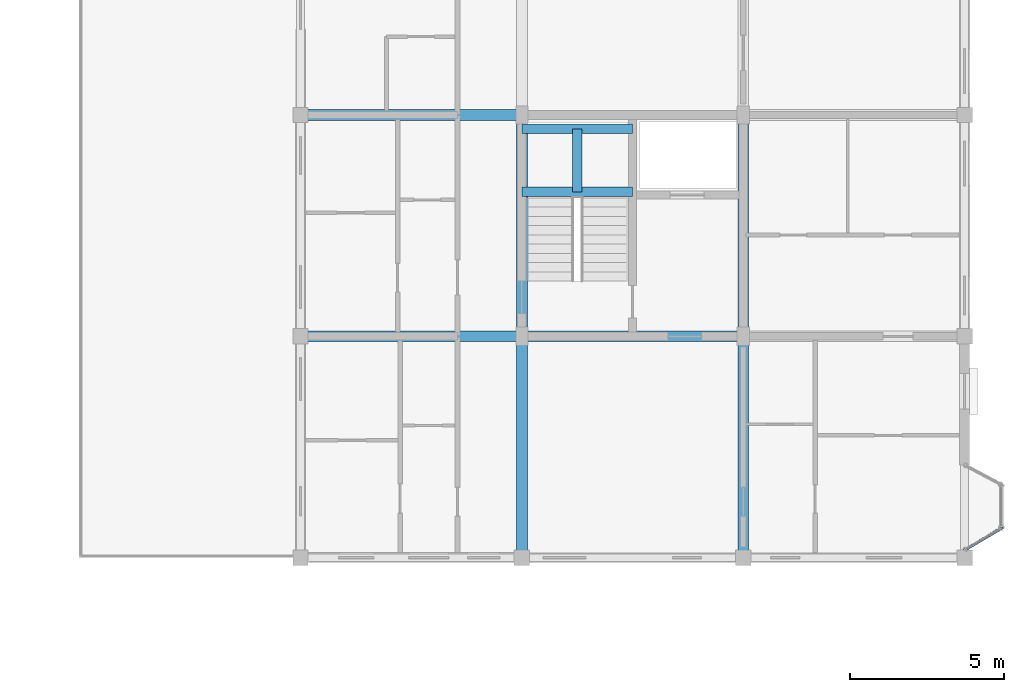
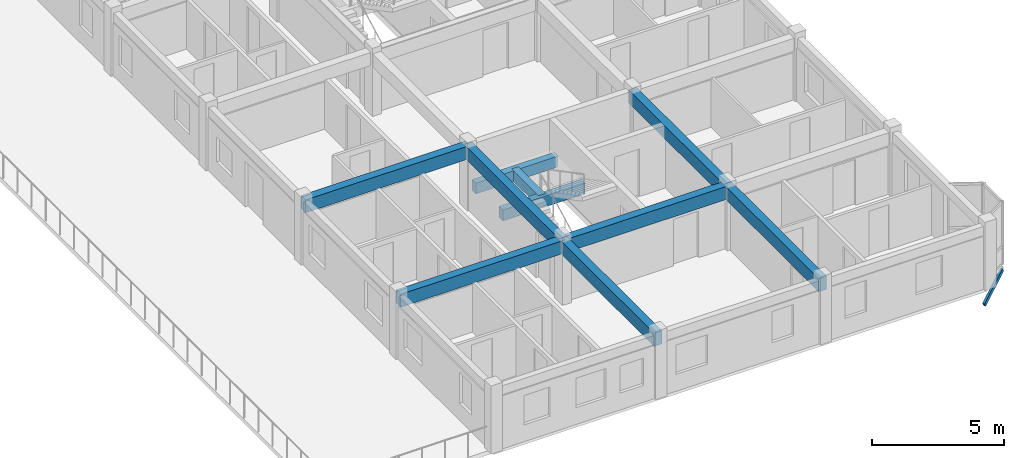
# One storey, part 23 of 70: 10 beams, 1 member.
"""IFC4 building model written with IfcOpenShell, lengths in metres."""

from ifc_helpers import new_model, si_unit, direction, frame, origin, origin_2d, place, context, subcontext, project, spatial, rectangle, hollow_rectangle, extrude, material, material_profile, profile_set, type_object, element, save


model = new_model("IFC4")

# Units and contexts
model_context = context("Model", 3, precision=1e-05, world=origin(), true_north=direction((0.0, 1.0)))
body_context = subcontext(model_context, "Body", "Model", "MODEL_VIEW")
ifc_project = project(units=[si_unit("LENGTHUNIT", "METRE"), si_unit("AREAUNIT", "SQUARE_METRE"), si_unit("VOLUMEUNIT", "CUBIC_METRE"), si_unit("PLANEANGLEUNIT", "RADIAN"), si_unit("MASSUNIT", "GRAM", prefix="KILO"), si_unit("THERMODYNAMICTEMPERATUREUNIT", "KELVIN"), si_unit("POWERUNIT", "WATT")], contexts=[model_context])

# Site, building, storey
site_placement = place(None, origin())
site = spatial("IfcSite", under=ifc_project, at=site_placement, CompositionType="ELEMENT")
building_placement = place(site_placement, origin())
building = spatial("IfcBuilding", under=site, at=building_placement, Name="Tavuni Mirador Residences", CompositionType="ELEMENT")
storey_placement = place(building_placement, frame((0.0, 0.0, 23.39990234375)))
storey = spatial("IfcBuildingStorey", under=building, at=storey_placement, Name="L07", CompositionType="ELEMENT", Elevation=23.39990234375)

# Beams
ifc_material_1 = material(Name="Precast concrete C40/50", Category="concrete")
ifc_material_profile_1 = material_profile(ifc_material_1, rectangle(XDim=0.300048828125, YDim=0.5, at=origin_2d()), Name="PC 300x500", Category="concrete")
ifc_profile_set_1 = profile_set([ifc_material_profile_1], Name="Precast concrete C40/50")
beam_type_1 = type_object("IfcBeamType", Name="BT-B500", PredefinedType="BEAM", material=ifc_profile_set_1)
for number, where, z_axis, x_axis, name in (
    (1, (104.39990234375, 98.300048828125, 1.14501953125), (1.0, 0.0, 0.0), (0.0, 1.0, 0.0), "HLB1-C7-L07"),
    (2, (104.39990234375, 100.35009765625, 1.14501953125), (1.0, 0.0, 0.0), (0.0, 1.0, 0.0), "HLB2-C7-L07"),
):
    element("IfcBeam", number, at=place(storey_placement, frame(where, z_axis=z_axis, x_axis=x_axis)), inside=storey, type_object=beam_type_1, Name=name, PredefinedType="BEAM", context=body_context, shape_type="SweptSolid", body=[
        extrude(rectangle(XDim=0.300048828125, YDim=0.5, at=origin_2d()), origin(), (0.0, 0.0, 1.0), 3.60009765625),
    ])
beam_1_placement = place(storey_placement, frame((106.199951171875, 98.300048828125, 1.14501953125), z_axis=(0.0, 1.0, 0.0), x_axis=(-1.0, 0.0, 0.0)))
element("IfcBeam", 3, at=beam_1_placement, inside=storey, type_object=beam_type_1, Name="HLB3-C7-L07", PredefinedType="BEAM", context=body_context, shape_type="SweptSolid", body=[
    extrude(rectangle(XDim=0.300048828125, YDim=0.5, at=origin_2d()), origin(), (0.0, 0.0, 1.0), 2.050048828125),
])
ifc_material_profile_2 = material_profile(ifc_material_1, rectangle(XDim=0.35009765625, YDim=0.60009765625, at=origin_2d()), Name="PC 350x600", Category="concrete")
ifc_profile_set_2 = profile_set([ifc_material_profile_2], Name="Precast concrete C40/50")
beam_type_2 = type_object("IfcBeamType", Name="BT-B600", PredefinedType="BEAM", material=ifc_profile_set_2)
beam_2_placement = place(storey_placement, frame((97.199951171875, 93.60009765625, 2.590087890625), z_axis=(1.0, 0.0, 0.0), x_axis=(0.0, 1.0, 0.0)))
element("IfcBeam", 4, at=beam_2_placement, inside=storey, type_object=beam_type_2, Name="BMX-BLK-D-L07-00-01", PredefinedType="BEAM", context=body_context, shape_type="SweptSolid", body=[
    extrude(rectangle(XDim=0.35009765625, YDim=0.60009765625, at=origin_2d()), origin(), (0.0, 0.0, 1.0), 7.199951171875),
])
beam_3_placement = place(storey_placement, frame((104.39990234375, 93.60009765625, 2.590087890625), z_axis=(1.0, 0.0, 0.0), x_axis=(0.0, 1.0, 0.0)))
element("IfcBeam", 5, at=beam_3_placement, inside=storey, type_object=beam_type_2, Name="BMX-BLK-D-L07-01-01", PredefinedType="BEAM", context=body_context, shape_type="SweptSolid", body=[
    extrude(rectangle(XDim=0.35009765625, YDim=0.60009765625, at=origin_2d()), origin(), (0.0, 0.0, 1.0), 7.2001953125),
])
beam_4_placement = place(storey_placement, frame((97.199951171875, 100.800048828125, 2.590087890625), z_axis=(1.0, 0.0, 0.0), x_axis=(0.0, 1.0, 0.0)))
element("IfcBeam", 6, at=beam_4_placement, inside=storey, type_object=beam_type_2, Name="BMX-BLK-D-L07-00-02", PredefinedType="BEAM", context=body_context, shape_type="SweptSolid", body=[
    extrude(rectangle(XDim=0.35009765625, YDim=0.60009765625, at=origin_2d()), origin(), (0.0, 0.0, 1.0), 7.199951171875),
])
beam_5_placement = place(storey_placement, frame((104.39990234375, 86.39990234375, 2.590087890625), z_axis=(0.0, 1.0, 0.0), x_axis=(-1.0, 0.0, 0.0)))
element("IfcBeam", 7, at=beam_5_placement, inside=storey, type_object=beam_type_2, Name="BMY-BLK-D-L07-01-00", PredefinedType="BEAM", context=body_context, shape_type="SweptSolid", body=[
    extrude(rectangle(XDim=0.35009765625, YDim=0.60009765625, at=origin_2d()), origin(), (0.0, 0.0, 1.0), 7.2001953125),
])
beam_6_placement = place(storey_placement, frame((104.39990234375, 93.60009765625, 2.590087890625), z_axis=(0.0, 1.0, 0.0), x_axis=(-1.0, 0.0, 0.0)))
element("IfcBeam", 8, at=beam_6_placement, inside=storey, type_object=beam_type_2, Name="BMY-BLK-D-L07-01-01", PredefinedType="BEAM", context=body_context, shape_type="SweptSolid", body=[
    extrude(rectangle(XDim=0.35009765625, YDim=0.60009765625, at=origin_2d()), origin(), (0.0, 0.0, 1.0), 7.199951171875),
])
beam_7_placement = place(storey_placement, frame((111.60009765625, 86.39990234375, 2.590087890625), z_axis=(0.0, 1.0, 0.0), x_axis=(-1.0, 0.0, 0.0)))
element("IfcBeam", 9, at=beam_7_placement, inside=storey, type_object=beam_type_2, Name="BMY-BLK-D-L07-02-00", PredefinedType="BEAM", context=body_context, shape_type="SweptSolid", body=[
    extrude(rectangle(XDim=0.35009765625, YDim=0.60009765625, at=origin_2d()), origin(), (0.0, 0.0, 1.0), 7.2001953125),
])
beam_8_placement = place(storey_placement, frame((111.60009765625, 93.60009765625, 2.590087890625), z_axis=(0.0, 1.0, 0.0), x_axis=(-1.0, 0.0, 0.0)))
element("IfcBeam", 10, at=beam_8_placement, inside=storey, type_object=beam_type_2, Name="BMY-BLK-D-L07-02-01", PredefinedType="BEAM", context=body_context, shape_type="SweptSolid", body=[
    extrude(rectangle(XDim=0.35009765625, YDim=0.60009765625, at=origin_2d()), origin(), (0.0, 0.0, 1.0), 7.199951171875),
])

# Member
ifc_material_2 = material(Name="Structural steel S355", Category="steel")
ifc_material_profile_3 = material_profile(ifc_material_2, hollow_rectangle(XDim=0.10009765625, YDim=0.179931640625, WallThickness=0.008056640625, at=origin_2d()), Name="RHS 180x100x8.0", Category="steel")
ifc_profile_set_3 = profile_set([ifc_material_profile_3], Name="Structural steel S355")
member_type = type_object("IfcMemberType", Name="MT-BR-RHS180", PredefinedType="BRACE", material=ifc_profile_set_3)
member_placement = place(storey_placement, frame((118.800048828125, 86.64990234375, -1.0498046875), z_axis=(0.748793092215, 0.443181913582, 0.492847538823), x_axis=(-0.509336771823, 0.860567285497, 0.0)))
element("IfcMember", 11, at=member_placement, inside=storey, type_object=member_type, Name="MBRK-MIR-D-E1-L07-1", PredefinedType="BRACE", context=body_context, shape_type="SweptSolid", body=[
    extrude(hollow_rectangle(XDim=0.10009765625, YDim=0.179931640625, WallThickness=0.008056640625, at=origin_2d()), origin(), (0.0, 0.0, 1.0), 1.6025390625),
])

save(model, "model.ifc")
